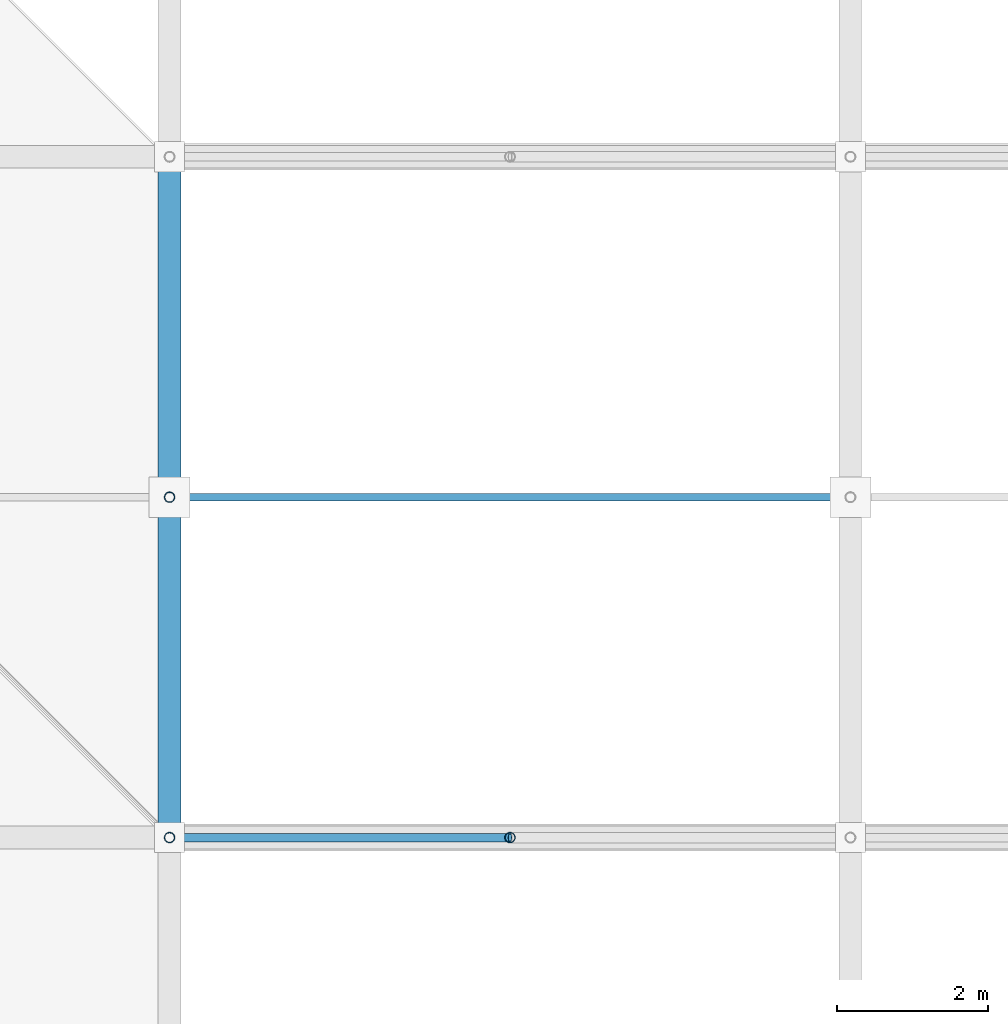
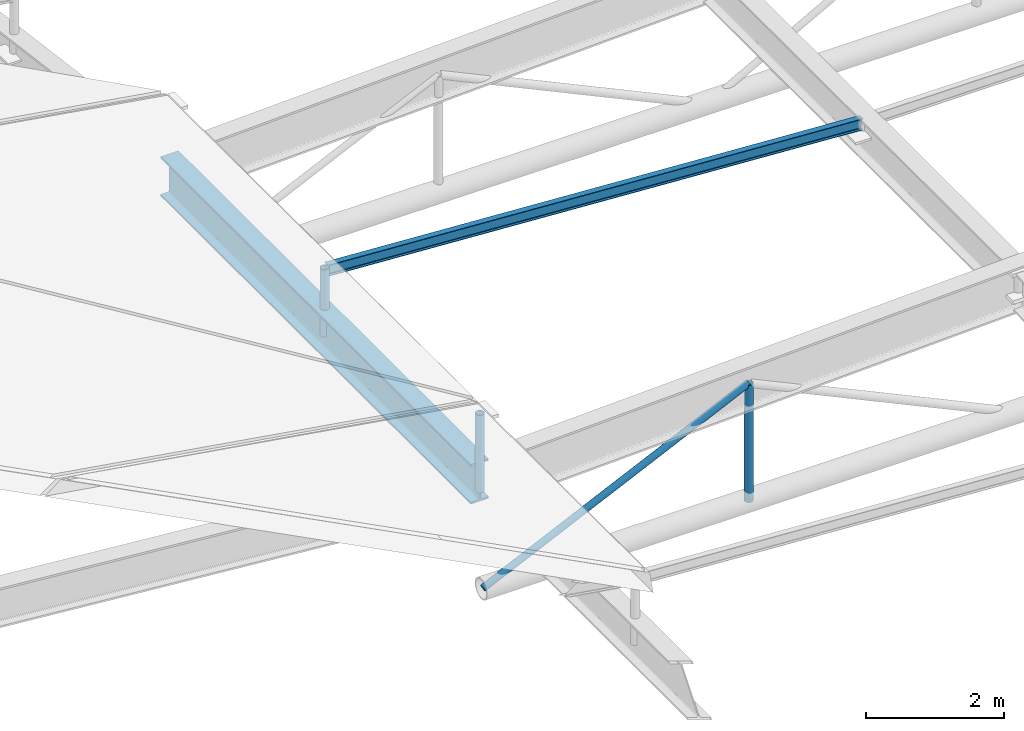
# One storey, part 13 of 80: 5 members, 1 beam.
"""IFC4 building model written with IfcOpenShell, lengths in metres."""

import ifcopenshell
import ifcopenshell.guid

model = None  # the IFC model being written
_history = None  # IfcOwnerHistory: only IFC2X3 demands one
_inside = {}  # id of a spatial element -> (the spatial element, [elements in it])
_under = {}  # id of a project, library or spatial element -> (it, [spatial elements below it])
_declared = {}  # id of a project -> (the project, [libraries it declares])
_typed = {}  # id of a type object -> (the type object, [elements of that type])
_made_of = {}  # id of a material, layer set ... -> (it, [elements and type objects made of it])


def new_model(schema):
    """Start an empty IFC model of exactly this schema.

    Asked for "IFC4X3", IfcOpenShell would pick the latest addendum, in which some entities
    have other attributes; the version numbers below select the first issue.
    IFC2X3 requires an IfcOwnerHistory on every rooted entity: one is made here for all.
    """
    global model, _history
    if schema == "IFC4X3":
        model = ifcopenshell.file(schema_version=(4, 3, 0, 0))
    else:
        model = ifcopenshell.file(schema=schema)
    _inside.clear()
    _under.clear()
    _declared.clear()
    _typed.clear()
    _made_of.clear()
    _history = None
    if model.schema == "IFC2X3":
        org = make("IfcOrganization", Name="unknown")
        user = make(
            "IfcPersonAndOrganization",
            ThePerson=make("IfcPerson", FamilyName="unknown"),
            TheOrganization=org,
        )
        app = make(
            "IfcApplication",
            ApplicationDeveloper=org,
            Version="unknown",
            ApplicationFullName="unknown",
            ApplicationIdentifier="unknown",
        )
        _history = make(
            "IfcOwnerHistory",
            OwningUser=user,
            OwningApplication=app,
            ChangeAction="ADDED",
            CreationDate=0,
        )
    return model


def make(cls, **values):
    """One entity of the class cls with the attributes given. An attribute that is None is left unset."""
    return model.create_entity(
        cls, **{name: value for name, value in values.items() if value is not None}
    )


def rooted(cls, **values):
    """An entity with a GlobalId (a new one), such as an element, a storey or a relation."""
    return make(cls, GlobalId=ifcopenshell.guid.new(), OwnerHistory=_history, **values)


def si_unit(unit_type, name, prefix=None):
    """IfcSIUnit, for example si_unit("LENGTHUNIT", "METRE", prefix="MILLI")."""
    return make("IfcSIUnit", UnitType=unit_type, Prefix=prefix, Name=name)


def assignment(units):
    """IfcUnitAssignment: the units of a project."""
    return None if units is None else make("IfcUnitAssignment", Units=units)


def point(xyz):
    """IfcCartesianPoint."""
    return None if xyz is None else make("IfcCartesianPoint", Coordinates=xyz)


def direction(xyz):
    """IfcDirection."""
    return None if xyz is None else make("IfcDirection", DirectionRatios=xyz)


def frame(location, z_axis=None, x_axis=None):
    """IfcAxis2Placement3D, a coordinate frame: its origin and axes. An axis left out is left unset."""
    return make(
        "IfcAxis2Placement3D",
        Location=point(location),
        Axis=direction(z_axis),
        RefDirection=direction(x_axis),
    )


def frame_2d(location, x_axis=None):
    """IfcAxis2Placement2D, a coordinate frame in the plane: its origin and x axis."""
    return make(
        "IfcAxis2Placement2D", Location=point(location), RefDirection=direction(x_axis)
    )


def origin():
    """The frame at (0, 0, 0) with its axes left unset."""
    return frame((0.0, 0.0, 0.0))


def origin_2d():
    """The frame at (0, 0) in the plane with its x axis left unset."""
    return frame_2d((0.0, 0.0))


def place(relative_to, where):
    """IfcLocalPlacement: puts the frame where relative to a parent placement (None: the world)."""
    return make(
        "IfcLocalPlacement", PlacementRelTo=relative_to, RelativePlacement=where
    )


def context(
    kind, dimensions, precision=None, world=None, true_north=None, identifier=None
):
    """IfcGeometricRepresentationContext, for example the 3D "Model" context."""
    return make(
        "IfcGeometricRepresentationContext",
        ContextIdentifier=identifier,
        ContextType=kind,
        CoordinateSpaceDimension=dimensions,
        Precision=precision,
        WorldCoordinateSystem=world,
        TrueNorth=true_north,
    )


def subcontext(parent, identifier, kind, view, scale=None):
    """IfcGeometricRepresentationSubContext, for example "Body" below "Model"."""
    return make(
        "IfcGeometricRepresentationSubContext",
        ContextIdentifier=identifier,
        ContextType=kind,
        ParentContext=parent,
        TargetScale=scale,
        TargetView=view,
    )


def project(units=None, contexts=None):
    """IfcProject with its units and contexts."""
    return rooted(
        "IfcProject",
        Name="project",
        RepresentationContexts=contexts,
        UnitsInContext=assignment(units),
    )


def spatial(cls, under=None, at=None, **own):
    """A site, building, storey or space (cls), placed at a placement, below another one or the project."""
    s = rooted(cls, ObjectPlacement=at, **own)
    if under is not None:
        _under.setdefault(under.id(), (under, []))[1].append(s)
    return s


def profile(cls, at=None, kind="AREA", **sizes):
    """A parametric profile (cls). Its sizes go by their IFC names, for example OverallWidth=200.0."""
    return make(cls, ProfileType=kind, Position=at, **sizes)


def hollow_circle(**sizes):
    """IfcCircleHollowProfileDef."""
    return profile("IfcCircleHollowProfileDef", **sizes)


def i_section(**sizes):
    """IfcIShapeProfileDef."""
    return profile("IfcIShapeProfileDef", **sizes)


def extrude(swept, where, along, depth):
    """IfcExtrudedAreaSolid: the profile swept, set in the frame where, extruded along a direction by depth."""
    return make(
        "IfcExtrudedAreaSolid",
        SweptArea=swept,
        Position=where,
        ExtrudedDirection=direction(along),
        Depth=depth,
    )


def shape(context_of_items, identifier, shape_type, items):
    """IfcShapeRepresentation: the items that make up one representation, for example the "Body"."""
    return make(
        "IfcShapeRepresentation",
        ContextOfItems=context_of_items,
        RepresentationIdentifier=identifier,
        RepresentationType=shape_type,
        Items=items,
    )


def material(Name=None, Category=None):
    """IfcMaterial."""
    return make("IfcMaterial", Name=Name, Category=Category)


def material_profile(
    of_material, cross_section, Name=None, Category=None, Priority=None
):
    """IfcMaterialProfile: a cross section and its material."""
    return make(
        "IfcMaterialProfile",
        Name=Name,
        Material=of_material,
        Profile=cross_section,
        Priority=Priority,
        Category=Category,
    )


def profile_set(profiles, Name=None, composite=None):
    """IfcMaterialProfileSet."""
    return make(
        "IfcMaterialProfileSet",
        Name=Name,
        MaterialProfiles=profiles,
        CompositeProfile=composite,
    )


def made_of(thing, what):
    """Note that an element or type object is made of a material, layer set ...; save() writes the relation."""
    if what is not None:
        _made_of.setdefault(what.id(), (what, []))[1].append(thing)
    return thing


def type_object(cls, material=None, **own):
    """A type object (cls), such as IfcWallType, which elements share."""
    return made_of(rooted(cls, **own), material)


def element(
    cls,
    number,
    at=None,
    inside=None,
    cuts=None,
    type_object=None,
    material=None,
    context=None,
    identifier="Body",
    shape_type=None,
    held_by="IfcProductDefinitionShape",
    body=None,
    shapes=None,
    **own,
):
    """One element of the class cls, such as IfcWall. Its Tag is "e" and its number.

    at: its placement. inside: the storey or other place that contains it. cuts: it is an
    opening in that element (IfcRelVoidsElement). A single representation is given by context,
    identifier, shape_type and body (its items); several are given by shapes. held_by: the class
    of the entity that holds the representations. save() writes the other relations.
    """
    e = rooted(cls, Tag="e%d" % number, ObjectPlacement=at, **own)
    if body is not None:
        shapes = [shape(context, identifier, shape_type, body)]
    if shapes is not None:
        e.Representation = make(held_by, Representations=shapes)
    if inside is not None:
        _inside.setdefault(inside.id(), (inside, []))[1].append(e)
    if cuts is not None:
        rooted(
            "IfcRelVoidsElement", RelatingBuildingElement=cuts, RelatedOpeningElement=e
        )
    if type_object is not None:
        _typed.setdefault(type_object.id(), (type_object, []))[1].append(e)
    return made_of(e, material)


def aggregate(whole, parts):
    """IfcRelAggregates: a whole, such as a stair, and the parts it consists of."""
    return rooted("IfcRelAggregates", RelatingObject=whole, RelatedObjects=parts)


def save(model, path):
    """Write the relations noted so far, then the file.

    IfcRelAggregates (storeys below a building ...), IfcRelContainedInSpatialStructure (elements
    in a storey), IfcRelDefinesByType, IfcRelAssociatesMaterial and IfcRelDeclares: one each for
    every whole, place, type object, material and project.
    """
    for whole, parts in _under.values():
        aggregate(whole, parts)
    for where, things in _inside.values():
        rooted(
            "IfcRelContainedInSpatialStructure",
            RelatedElements=things,
            RelatingStructure=where,
        )
    for kind, things in _typed.values():
        rooted("IfcRelDefinesByType", RelatedObjects=things, RelatingType=kind)
    for what, things in _made_of.values():
        rooted("IfcRelAssociatesMaterial", RelatedObjects=things, RelatingMaterial=what)
    for by, libraries in _declared.values():
        rooted("IfcRelDeclares", RelatingContext=by, RelatedDefinitions=libraries)
    model.write(path)


model = new_model("IFC4")

# Units and contexts
model_context = context("Model", 3, precision=1e-05, world=origin(), true_north=direction((0.0, 1.0)))
body_context = subcontext(model_context, "Body", "Model", "MODEL_VIEW")
ifc_project = project(units=[si_unit("LENGTHUNIT", "METRE"), si_unit("AREAUNIT", "SQUARE_METRE"), si_unit("VOLUMEUNIT", "CUBIC_METRE"), si_unit("PLANEANGLEUNIT", "RADIAN"), si_unit("MASSUNIT", "GRAM", prefix="KILO")], contexts=[model_context])

# Site, building, storey
site_placement = place(None, origin())
site = spatial("IfcSite", under=ifc_project, at=site_placement, CompositionType="ELEMENT")
building_placement = place(site_placement, origin())
building = spatial("IfcBuilding", under=site, at=building_placement, Name="Barlavento Convention Centre", CompositionType="ELEMENT")
storey_placement = place(building_placement, frame((0.0, 0.0, 29.800048828125)))
storey = spatial("IfcBuildingStorey", under=building, at=storey_placement, Name="RF", CompositionType="ELEMENT", Elevation=29.800048828125)

# Beam
ifc_material_1 = material(Name="Steel S460", Category="steel")
ifc_material_profile_1 = material_profile(ifc_material_1, i_section(OverallWidth=0.300048828125, OverallDepth=0.699951171875, WebThickness=0.01708984375, FlangeThickness=0.031982421875, FilletRadius=0.027099609375, at=origin_2d()), Name="HEB 700")
ifc_profile_set_1 = profile_set([ifc_material_profile_1], Name="Steel S460")
beam_type = type_object("IfcBeamType", Name="STR-BM-TRUSS-TOP-HEB700", PredefinedType="BEAM", material=ifc_profile_set_1)
beam_placement = place(storey_placement, frame((18.0, 18.0048828125, -1.25634765625), z_axis=(0.0, 1.0, 0.0), x_axis=(-1.0, 0.0, 0.0)))
element("IfcBeam", 1, at=beam_placement, inside=storey, type_object=beam_type, Name="Congress roof truss space frame chord", PredefinedType="BEAM", context=body_context, shape_type="SweptSolid", body=[
    extrude(i_section(OverallWidth=0.300048828125, OverallDepth=0.699951171875, WebThickness=0.01708984375, FlangeThickness=0.031982421875, FilletRadius=0.027099609375, at=origin_2d()), origin(), (0.0, 0.0, 1.0), 8.990234375),
])

# Members
ifc_material_2 = material(Name="Steel S355", Category="steel")
ifc_material_profile_2 = material_profile(ifc_material_2, hollow_circle(Radius=0.05712890625, WallThickness=0.00634765625, at=origin_2d()), Name="CHS 114.3x6.3")
ifc_profile_set_2 = profile_set([ifc_material_profile_2], Name="Steel S355")
member_type_1 = type_object("IfcMemberType", Name="STR-MEM-DIAG-CHS114", PredefinedType="BRACE", material=ifc_profile_set_2)
member_1_placement = place(storey_placement, frame((18.050048828125, 18.0, -3.15625), z_axis=(0.906200921367, 0.0, 0.422847360302), x_axis=(0.0, 1.0, 0.0)))
element("IfcMember", 2, at=member_1_placement, inside=storey, type_object=member_type_1, Name="Plenary hall roof truss web member", PredefinedType="BRACE", context=body_context, shape_type="SweptSolid", body=[
    extrude(hollow_circle(Radius=0.05712890625, WallThickness=0.00634765625, at=origin_2d()), origin(), (0.0, 0.0, 1.0), 4.91064453125),
])
ifc_material_profile_3 = material_profile(ifc_material_2, hollow_circle(Radius=0.06982421875, WallThickness=0.008056640625, at=origin_2d()), Name="CHS 139.7x8.0")
ifc_profile_set_3 = profile_set([ifc_material_profile_3], Name="Steel S355")
member_type_2 = type_object("IfcMemberType", Name="STR-MEM-DIAG-CHS139", PredefinedType="BRACE", material=ifc_profile_set_3)
member_2_placement = place(storey_placement, frame((22.5, 18.0, -3.15625), z_axis=(0.0, 0.0, 1.0), x_axis=(1.0, 0.0, 0.0)))
element("IfcMember", 3, at=member_2_placement, inside=storey, type_object=member_type_2, Name="Plenary hall roof truss web member", PredefinedType="BRACE", context=body_context, shape_type="SweptSolid", body=[
    extrude(hollow_circle(Radius=0.06982421875, WallThickness=0.008056640625, at=origin_2d()), origin(), (0.0, 0.0, 1.0), 2.076416015625),
])
member_3_placement = place(storey_placement, frame((18.0, 18.0, -1.40625), z_axis=(0.0, 0.0, 1.0), x_axis=(1.0, 0.0, 0.0)))
element("IfcMember", 4, at=member_3_placement, inside=storey, type_object=member_type_2, Name="Congress space frame vertical node post TD04", PredefinedType="BRACE", context=body_context, shape_type="SweptSolid", body=[
    extrude(hollow_circle(Radius=0.06982421875, WallThickness=0.008056640625, at=origin_2d()), origin(), (0.0, 0.0, 1.0), 1.369873046875),
])
member_4_placement = place(storey_placement, frame((18.0, 22.5, -1.37646484375), z_axis=(0.0, 0.0, 1.0), x_axis=(1.0, 0.0, 0.0)))
element("IfcMember", 5, at=member_4_placement, inside=storey, type_object=member_type_2, Name="Congress space frame vertical node post TD04", PredefinedType="BRACE", context=body_context, shape_type="SweptSolid", body=[
    extrude(hollow_circle(Radius=0.06982421875, WallThickness=0.008056640625, at=origin_2d()), origin(), (0.0, 0.0, 1.0), 1.18505859375),
])
ifc_material_profile_4 = material_profile(ifc_material_2, i_section(OverallWidth=0.10009765625, OverallDepth=0.199951171875, WebThickness=0.005615234375, FlangeThickness=0.008544921875, FilletRadius=0.011962890625, at=origin_2d()), Name="IPE 200")
ifc_profile_set_4 = profile_set([ifc_material_profile_4], Name="Steel S355")
member_type_3 = type_object("IfcMemberType", Name="STR-MEM-PUR-IPE200", PredefinedType="PURLIN", material=ifc_profile_set_4)
member_5_placement = place(storey_placement, frame((18.02001953125, 22.5, -0.237060546875), z_axis=(0.99818037196, 0.0, -0.060298797946), x_axis=(0.0, 1.0, 0.0)))
element("IfcMember", 6, at=member_5_placement, inside=storey, type_object=member_type_3, Name="Congress roof intermediate purlin PR01", PredefinedType="PURLIN", context=body_context, shape_type="SweptSolid", body=[
    extrude(i_section(OverallWidth=0.10009765625, OverallDepth=0.199951171875, WebThickness=0.005615234375, FlangeThickness=0.008544921875, FilletRadius=0.011962890625, at=origin_2d()), origin(), (0.0, 0.0, 1.0), 8.976318359375),
])

save(model, "model.ifc")
